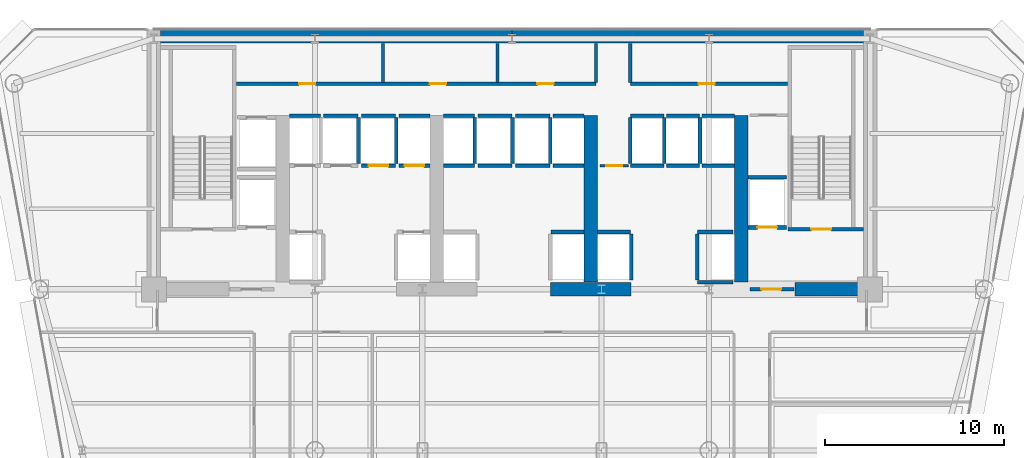
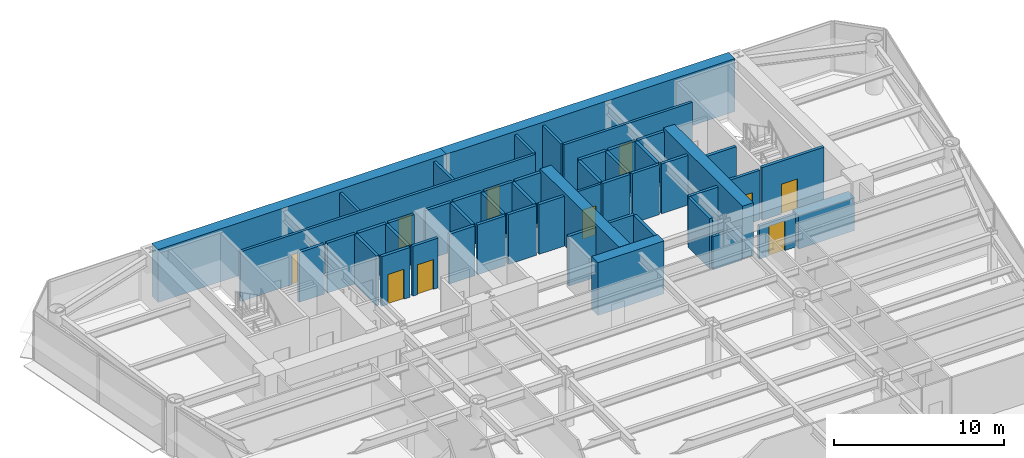
# One storey, part 9 of 14: 51 walls, 10 doors, 10 openings.
"""IFC4 building model written with IfcOpenShell, lengths in metres."""

import ifcopenshell
import ifcopenshell.guid

model = None  # the IFC model being written
_history = None  # IfcOwnerHistory: only IFC2X3 demands one
_inside = {}  # id of a spatial element -> (the spatial element, [elements in it])
_under = {}  # id of a project, library or spatial element -> (it, [spatial elements below it])
_declared = {}  # id of a project -> (the project, [libraries it declares])
_typed = {}  # id of a type object -> (the type object, [elements of that type])
_made_of = {}  # id of a material, layer set ... -> (it, [elements and type objects made of it])


def new_model(schema):
    """Start an empty IFC model of exactly this schema.

    Asked for "IFC4X3", IfcOpenShell would pick the latest addendum, in which some entities
    have other attributes; the version numbers below select the first issue.
    IFC2X3 requires an IfcOwnerHistory on every rooted entity: one is made here for all.
    """
    global model, _history
    if schema == "IFC4X3":
        model = ifcopenshell.file(schema_version=(4, 3, 0, 0))
    else:
        model = ifcopenshell.file(schema=schema)
    _inside.clear()
    _under.clear()
    _declared.clear()
    _typed.clear()
    _made_of.clear()
    _history = None
    if model.schema == "IFC2X3":
        org = make("IfcOrganization", Name="unknown")
        user = make(
            "IfcPersonAndOrganization",
            ThePerson=make("IfcPerson", FamilyName="unknown"),
            TheOrganization=org,
        )
        app = make(
            "IfcApplication",
            ApplicationDeveloper=org,
            Version="unknown",
            ApplicationFullName="unknown",
            ApplicationIdentifier="unknown",
        )
        _history = make(
            "IfcOwnerHistory",
            OwningUser=user,
            OwningApplication=app,
            ChangeAction="ADDED",
            CreationDate=0,
        )
    return model


def make(cls, **values):
    """One entity of the class cls with the attributes given. An attribute that is None is left unset."""
    return model.create_entity(
        cls, **{name: value for name, value in values.items() if value is not None}
    )


def rooted(cls, **values):
    """An entity with a GlobalId (a new one), such as an element, a storey or a relation."""
    return make(cls, GlobalId=ifcopenshell.guid.new(), OwnerHistory=_history, **values)


def si_unit(unit_type, name, prefix=None):
    """IfcSIUnit, for example si_unit("LENGTHUNIT", "METRE", prefix="MILLI")."""
    return make("IfcSIUnit", UnitType=unit_type, Prefix=prefix, Name=name)


def assignment(units):
    """IfcUnitAssignment: the units of a project."""
    return None if units is None else make("IfcUnitAssignment", Units=units)


def point(xyz):
    """IfcCartesianPoint."""
    return None if xyz is None else make("IfcCartesianPoint", Coordinates=xyz)


def direction(xyz):
    """IfcDirection."""
    return None if xyz is None else make("IfcDirection", DirectionRatios=xyz)


def frame(location, z_axis=None, x_axis=None):
    """IfcAxis2Placement3D, a coordinate frame: its origin and axes. An axis left out is left unset."""
    return make(
        "IfcAxis2Placement3D",
        Location=point(location),
        Axis=direction(z_axis),
        RefDirection=direction(x_axis),
    )


def frame_2d(location, x_axis=None):
    """IfcAxis2Placement2D, a coordinate frame in the plane: its origin and x axis."""
    return make(
        "IfcAxis2Placement2D", Location=point(location), RefDirection=direction(x_axis)
    )


def origin():
    """The frame at (0, 0, 0) with its axes left unset."""
    return frame((0.0, 0.0, 0.0))


def place(relative_to, where):
    """IfcLocalPlacement: puts the frame where relative to a parent placement (None: the world)."""
    return make(
        "IfcLocalPlacement", PlacementRelTo=relative_to, RelativePlacement=where
    )


def context(
    kind, dimensions, precision=None, world=None, true_north=None, identifier=None
):
    """IfcGeometricRepresentationContext, for example the 3D "Model" context."""
    return make(
        "IfcGeometricRepresentationContext",
        ContextIdentifier=identifier,
        ContextType=kind,
        CoordinateSpaceDimension=dimensions,
        Precision=precision,
        WorldCoordinateSystem=world,
        TrueNorth=true_north,
    )


def subcontext(parent, identifier, kind, view, scale=None):
    """IfcGeometricRepresentationSubContext, for example "Body" below "Model"."""
    return make(
        "IfcGeometricRepresentationSubContext",
        ContextIdentifier=identifier,
        ContextType=kind,
        ParentContext=parent,
        TargetScale=scale,
        TargetView=view,
    )


def project(units=None, contexts=None):
    """IfcProject with its units and contexts."""
    return rooted(
        "IfcProject",
        Name="project",
        RepresentationContexts=contexts,
        UnitsInContext=assignment(units),
    )


def spatial(cls, under=None, at=None, **own):
    """A site, building, storey or space (cls), placed at a placement, below another one or the project."""
    s = rooted(cls, ObjectPlacement=at, **own)
    if under is not None:
        _under.setdefault(under.id(), (under, []))[1].append(s)
    return s


def profile(cls, at=None, kind="AREA", **sizes):
    """A parametric profile (cls). Its sizes go by their IFC names, for example OverallWidth=200.0."""
    return make(cls, ProfileType=kind, Position=at, **sizes)


def rectangle(**sizes):
    """IfcRectangleProfileDef."""
    return profile("IfcRectangleProfileDef", **sizes)


def extrude(swept, where, along, depth):
    """IfcExtrudedAreaSolid: the profile swept, set in the frame where, extruded along a direction by depth."""
    return make(
        "IfcExtrudedAreaSolid",
        SweptArea=swept,
        Position=where,
        ExtrudedDirection=direction(along),
        Depth=depth,
    )


def shape(context_of_items, identifier, shape_type, items):
    """IfcShapeRepresentation: the items that make up one representation, for example the "Body"."""
    return make(
        "IfcShapeRepresentation",
        ContextOfItems=context_of_items,
        RepresentationIdentifier=identifier,
        RepresentationType=shape_type,
        Items=items,
    )


def source(mapping_origin, context_of_items, identifier, shape_type, items):
    """IfcRepresentationMap: a shape defined once, which mapped items show again and again."""
    return make(
        "IfcRepresentationMap",
        MappingOrigin=mapping_origin,
        MappedRepresentation=shape(context_of_items, identifier, shape_type, items),
    )


def transform(
    local_origin,
    x_axis=None,
    y_axis=None,
    z_axis=None,
    scale=None,
    scale2=None,
    scale3=None,
    uniform=True,
):
    """IfcCartesianTransformationOperator3D, or its non-uniform kind. x_axis, y_axis, z_axis: its Axis1, 2, 3."""
    if uniform:
        return make(
            "IfcCartesianTransformationOperator3D",
            Axis1=direction(x_axis),
            Axis2=direction(y_axis),
            LocalOrigin=point(local_origin),
            Scale=scale,
            Axis3=direction(z_axis),
        )
    return make(
        "IfcCartesianTransformationOperator3DnonUniform",
        Axis1=direction(x_axis),
        Axis2=direction(y_axis),
        LocalOrigin=point(local_origin),
        Scale=scale,
        Axis3=direction(z_axis),
        Scale2=scale2,
        Scale3=scale3,
    )


def mapped(mapping_source, mapping_target):
    """IfcMappedItem: shows the shape of a source again, moved by a transform."""
    return make(
        "IfcMappedItem", MappingSource=mapping_source, MappingTarget=mapping_target
    )


def material(Name=None, Category=None):
    """IfcMaterial."""
    return make("IfcMaterial", Name=Name, Category=Category)


def layer(
    of_material, thickness, ventilated=None, Name=None, Category=None, Priority=None
):
    """IfcMaterialLayer: one layer of a wall or slab, of a material (None: an air gap)."""
    return make(
        "IfcMaterialLayer",
        Material=of_material,
        LayerThickness=thickness,
        IsVentilated=ventilated,
        Name=Name,
        Category=Category,
        Priority=Priority,
    )


def layer_set(layers, Name=None):
    """IfcMaterialLayerSet."""
    return make("IfcMaterialLayerSet", MaterialLayers=layers, LayerSetName=Name)


def made_of(thing, what):
    """Note that an element or type object is made of a material, layer set ...; save() writes the relation."""
    if what is not None:
        _made_of.setdefault(what.id(), (what, []))[1].append(thing)
    return thing


def type_object(cls, material=None, **own):
    """A type object (cls), such as IfcWallType, which elements share."""
    return made_of(rooted(cls, **own), material)


def element(
    cls,
    number,
    at=None,
    inside=None,
    cuts=None,
    type_object=None,
    material=None,
    context=None,
    identifier="Body",
    shape_type=None,
    held_by="IfcProductDefinitionShape",
    body=None,
    shapes=None,
    **own,
):
    """One element of the class cls, such as IfcWall. Its Tag is "e" and its number.

    at: its placement. inside: the storey or other place that contains it. cuts: it is an
    opening in that element (IfcRelVoidsElement). A single representation is given by context,
    identifier, shape_type and body (its items); several are given by shapes. held_by: the class
    of the entity that holds the representations. save() writes the other relations.
    """
    e = rooted(cls, Tag="e%d" % number, ObjectPlacement=at, **own)
    if body is not None:
        shapes = [shape(context, identifier, shape_type, body)]
    if shapes is not None:
        e.Representation = make(held_by, Representations=shapes)
    if inside is not None:
        _inside.setdefault(inside.id(), (inside, []))[1].append(e)
    if cuts is not None:
        rooted(
            "IfcRelVoidsElement", RelatingBuildingElement=cuts, RelatedOpeningElement=e
        )
    if type_object is not None:
        _typed.setdefault(type_object.id(), (type_object, []))[1].append(e)
    return made_of(e, material)


def fill(opening, filler):
    """IfcRelFillsElement: the door or window that sits in an opening."""
    return rooted(
        "IfcRelFillsElement",
        RelatingOpeningElement=opening,
        RelatedBuildingElement=filler,
    )


def aggregate(whole, parts):
    """IfcRelAggregates: a whole, such as a stair, and the parts it consists of."""
    return rooted("IfcRelAggregates", RelatingObject=whole, RelatedObjects=parts)


def save(model, path):
    """Write the relations noted so far, then the file.

    IfcRelAggregates (storeys below a building ...), IfcRelContainedInSpatialStructure (elements
    in a storey), IfcRelDefinesByType, IfcRelAssociatesMaterial and IfcRelDeclares: one each for
    every whole, place, type object, material and project.
    """
    for whole, parts in _under.values():
        aggregate(whole, parts)
    for where, things in _inside.values():
        rooted(
            "IfcRelContainedInSpatialStructure",
            RelatedElements=things,
            RelatingStructure=where,
        )
    for kind, things in _typed.values():
        rooted("IfcRelDefinesByType", RelatedObjects=things, RelatingType=kind)
    for what, things in _made_of.values():
        rooted("IfcRelAssociatesMaterial", RelatedObjects=things, RelatingMaterial=what)
    for by, libraries in _declared.values():
        rooted("IfcRelDeclares", RelatingContext=by, RelatedDefinitions=libraries)
    model.write(path)


model = new_model("IFC4")

# Units and contexts
model_context = context("Model", 3, precision=1e-05, world=origin(), true_north=direction((0.0, 1.0)))
body_context = subcontext(model_context, "Body", "Model", "MODEL_VIEW")
ifc_project = project(units=[si_unit("LENGTHUNIT", "METRE"), si_unit("AREAUNIT", "SQUARE_METRE"), si_unit("VOLUMEUNIT", "CUBIC_METRE"), si_unit("PLANEANGLEUNIT", "RADIAN"), si_unit("MASSUNIT", "GRAM", prefix="KILO")], contexts=[model_context])

# Site, building, storey
site_placement = place(None, origin())
site = spatial("IfcSite", under=ifc_project, at=site_placement, CompositionType="ELEMENT")
building_placement = place(site_placement, origin())
building = spatial("IfcBuilding", under=site, at=building_placement, Name="Vaeldorn Concourse Tower", CompositionType="ELEMENT")
storey_placement = place(building_placement, frame((0.0, 0.0, 88.199951171875)))
storey = spatial("IfcBuildingStorey", under=building, at=storey_placement, Name="L22", CompositionType="ELEMENT", Elevation=88.199951171875)

# Walls
ifc_material_1 = material(Name="Concrete C60/75", Category="concrete")
ifc_layer_1 = layer(ifc_material_1, 0.75)
ifc_layer_set_1 = layer_set([ifc_layer_1], Name="Concrete C60/75")
wall_type_1 = type_object("IfcWallType", Name="WL-CORE-750", PredefinedType="SHEAR", material=ifc_layer_set_1)
for number, where, z_axis, x_axis, name in (
    (1, (14.37890625, 50.625, 0.0), (0.0, 0.0, 1.0), (1.0, 0.0, 0.0), "Rear Core Shear Wall L22 N1"),
    (2, (34.001953125, 50.625, 0.0), (0.0, 0.0, 1.0), (1.0, 0.0, 0.0), "Rear Core Shear Wall L22 N2"),
):
    element("IfcWall", number, at=place(storey_placement, frame(where, z_axis=z_axis, x_axis=x_axis)), inside=storey, type_object=wall_type_1, Name=name, PredefinedType="SHEAR", context=body_context, shape_type="SweptSolid", body=[
        extrude(rectangle(XDim=19.619140625, YDim=0.75, at=frame_2d((9.8095703125, 0.0))), origin(), (0.0, 0.0, 1.0), 3.800048828125),
    ])
wall_1_placement = place(storey_placement, frame((36.14990234375, 36.5, 0.0), z_axis=(0.0, 0.0, 1.0), x_axis=(1.0, 0.0, 0.0)))
element("IfcWall", 3, at=wall_1_placement, inside=storey, type_object=wall_type_1, Name="Rear Core Shear Wall L22 S3", PredefinedType="SHEAR", context=body_context, shape_type="SweptSolid", body=[
    extrude(rectangle(XDim=4.5, YDim=0.75, at=frame_2d((2.25, 0.0))), origin(), (0.0, 0.0, 1.0), 3.800048828125),
])
wall_2_placement = place(storey_placement, frame((49.800048828125, 36.5, 0.0), z_axis=(0.0, 0.0, 1.0), x_axis=(1.0, 0.0, 0.0)))
element("IfcWall", 4, at=wall_2_placement, inside=storey, type_object=wall_type_1, Name="Rear Core Shear Wall L22 S4", PredefinedType="SHEAR", context=body_context, shape_type="SweptSolid", body=[
    extrude(rectangle(XDim=3.804931640625, YDim=0.75, at=frame_2d((1.90234375, 0.0))), origin(), (0.0, 0.0, 1.0), 2.380126953125),
])
for number, where, z_axis, x_axis, name in (
    (5, (38.39990234375, 36.89501953125, 0.0), (0.0, 0.0, 1.0), (0.0, 1.0, 0.0), "Rear Core Shear Wall L22 M3"),
    (6, (46.800048828125, 36.89501953125, 0.0), (0.0, 0.0, 1.0), (0.0, 1.0, 0.0), "Rear Core Shear Wall L22 M4"),
):
    element("IfcWall", number, at=place(storey_placement, frame(where, z_axis=z_axis, x_axis=x_axis)), inside=storey, type_object=wall_type_1, Name=name, PredefinedType="SHEAR", context=body_context, shape_type="SweptSolid", body=[
        extrude(rectangle(XDim=9.304931640625, YDim=0.75, at=frame_2d((4.65234375, 0.0))), origin(), (0.0, 0.0, 1.0), 3.800048828125),
    ])

# Wall, opening, door
ifc_material_2 = material(Name="Gypsum Board Partition", Category="gypsum")
ifc_layer_2 = layer(ifc_material_2, 0.14990234375)
ifc_layer_set_2 = layer_set([ifc_layer_2], Name="Gypsum Board Partition")
wall_type_2 = type_object("IfcWallType", Name="WL-PART-150", PredefinedType="PARTITIONING", material=ifc_layer_set_2)
wall_3_placement = place(storey_placement, frame((38.919921875, 43.39990234375, 0.0), z_axis=(0.0, 0.0, 1.0), x_axis=(1.0, 0.0, 0.0)))
wall_3 = element("IfcWall", 7, at=wall_3_placement, inside=storey, type_object=wall_type_2, Name="Interior Wall CW-L22-CCLINK", PredefinedType="PARTITIONING", context=body_context, shape_type="SweptSolid", body=[
    extrude(rectangle(XDim=1.60009765625, YDim=0.14990234375, at=frame_2d((0.800048828125, 0.0))), origin(), (0.0, 0.0, 1.0), 3.580078125),
])
opening_1_placement = place(wall_3_placement, frame((0.35009765625, 0.0, 0.0)))
opening_1 = element("IfcOpeningElement", 8, at=opening_1_placement, cuts=wall_3, Name="Opening D-02", PredefinedType="OPENING", context=body_context, shape_type="SweptSolid", body=[
    extrude(rectangle(XDim=0.89990234375, YDim=2.10009765625, at=frame_2d((0.449951171875, 1.050048828125))), frame((0.0, 0.0849609375, 0.0), z_axis=(0.0, -1.0, 0.0), x_axis=(1.0, 0.0, 0.0)), (0.0, 0.0, 1.0), 0.169921875),
])
ifc_material_3 = material(Name="Fire-Rated Timber Leaf", Category="wood")
door_type_1 = type_object("IfcDoorType", Name="DR-FD30-900", OperationType="NOTDEFINED", PredefinedType="DOOR", material=ifc_material_3)
shared_shape_1 = source(origin(), body_context, "Body", "SweptSolid", [
    extrude(rectangle(XDim=0.89990234375, YDim=2.10009765625, at=frame_2d((0.449951171875, 1.050048828125))), frame((0.0, 0.02490234375, 0.0), z_axis=(0.0, -1.0, 0.0), x_axis=(1.0, 0.0, 0.0)), (0.0, 0.0, 1.0), 0.050048828125),
])
door_1_placement = place(opening_1_placement, origin())
door_1 = element("IfcDoor", 9, at=door_1_placement, inside=storey, type_object=door_type_1, Name="Interior Door DR-L22-CCLINK", OperationType="SINGLE_SWING_LEFT", OverallHeight=2.10009765625, OverallWidth=0.89990234375, PredefinedType="DOOR", context=body_context, shape_type="MappedRepresentation", body=[
    mapped(shared_shape_1, transform((0.0, 0.0, 0.0), scale=1.0)),
])
fill(opening_1, door_1)

# Wall, openings, doors
ifc_layer_3 = layer(ifc_material_2, 0.179931640625)
ifc_layer_set_3 = layer_set([ifc_layer_3], Name="Gypsum Board Partition")
wall_type_3 = type_object("IfcWallType", Name="WL-PLUMB-180", PredefinedType="PLUMBINGWALL", material=ifc_layer_set_3)
wall_4_placement = place(storey_placement, frame((18.6201171875, 47.97998046875, 0.0), z_axis=(0.0, 0.0, 1.0), x_axis=(1.0, 0.0, 0.0)))
wall_4 = element("IfcWall", 10, at=wall_4_placement, inside=storey, type_object=wall_type_3, Name="Interior Wall CW-L22-NS1W", PredefinedType="PLUMBINGWALL", context=body_context, shape_type="SweptSolid", body=[
    extrude(rectangle(XDim=20.059814453125, YDim=0.179931640625, at=frame_2d((10.02978515625, 0.0))), origin(), (0.0, 0.0, 1.0), 3.580078125),
])
opening_2_placement = place(wall_4_placement, frame((3.5, 0.0, 0.0)))
opening_2 = element("IfcOpeningElement", 11, at=opening_2_placement, cuts=wall_4, Name="Opening D-03", PredefinedType="OPENING", context=body_context, shape_type="SweptSolid", body=[
    extrude(rectangle(XDim=0.89990234375, YDim=2.14990234375, at=frame_2d((0.449951171875, 1.074951171875))), frame((0.0, 0.10009765625, 0.0), z_axis=(0.0, -1.0, 0.0), x_axis=(1.0, 0.0, 0.0)), (0.0, 0.0, 1.0), 0.199951171875),
])
opening_3_placement = place(wall_4_placement, frame((10.800048828125, 0.0, 0.0)))
opening_3 = element("IfcOpeningElement", 12, at=opening_3_placement, cuts=wall_4, Name="Opening D-03", PredefinedType="OPENING", context=body_context, shape_type="SweptSolid", body=[
    extrude(rectangle(XDim=0.89990234375, YDim=2.14990234375, at=frame_2d((0.449951171875, 1.074951171875))), frame((0.0, 0.10009765625, 0.0), z_axis=(0.0, -1.0, 0.0), x_axis=(1.0, 0.0, 0.0)), (0.0, 0.0, 1.0), 0.199951171875),
])
opening_4_placement = place(wall_4_placement, frame((16.800048828125, 0.0, 0.0)))
opening_4 = element("IfcOpeningElement", 13, at=opening_4_placement, cuts=wall_4, Name="Opening D-03", PredefinedType="OPENING", context=body_context, shape_type="SweptSolid", body=[
    extrude(rectangle(XDim=0.89990234375, YDim=2.14990234375, at=frame_2d((0.449951171875, 1.074951171875))), frame((0.0, 0.10009765625, 0.0), z_axis=(0.0, -1.0, 0.0), x_axis=(1.0, 0.0, 0.0)), (0.0, 0.0, 1.0), 0.199951171875),
])
ifc_material_4 = material(Name="Acoustic Bronze-Framed Glass Door", Category="glass")
door_type_2 = type_object("IfcDoorType", Name="DR-INT-900", OperationType="NOTDEFINED", PredefinedType="DOOR", material=ifc_material_4)
shared_shape_2 = source(origin(), body_context, "Body", "SweptSolid", [
    extrude(rectangle(XDim=0.89990234375, YDim=2.14990234375, at=frame_2d((0.449951171875, 1.074951171875))), frame((0.0, 0.02490234375, 0.0), z_axis=(0.0, -1.0, 0.0), x_axis=(1.0, 0.0, 0.0)), (0.0, 0.0, 1.0), 0.050048828125),
])
door_2_placement = place(opening_2_placement, origin())
door_2 = element("IfcDoor", 14, at=door_2_placement, inside=storey, type_object=door_type_2, Name="Interior Door DR-L22-CS1", OperationType="SINGLE_SWING_LEFT", OverallHeight=2.14990234375, OverallWidth=0.89990234375, PredefinedType="DOOR", context=body_context, shape_type="MappedRepresentation", body=[
    mapped(shared_shape_2, transform((0.0, 0.0, 0.0), scale=1.0)),
])
fill(opening_2, door_2)
door_3_placement = place(opening_3_placement, origin())
door_3 = element("IfcDoor", 15, at=door_3_placement, inside=storey, type_object=door_type_2, Name="Interior Door DR-L22-CS2", OperationType="SINGLE_SWING_RIGHT", OverallHeight=2.14990234375, OverallWidth=0.89990234375, PredefinedType="DOOR", context=body_context, shape_type="MappedRepresentation", body=[
    mapped(shared_shape_2, transform((0.0, 0.0, 0.0), scale=1.0)),
])
fill(opening_3, door_3)
door_4_placement = place(opening_4_placement, origin())
door_4 = element("IfcDoor", 16, at=door_4_placement, inside=storey, type_object=door_type_2, Name="Interior Door DR-L22-CS3", OperationType="SINGLE_SWING_LEFT", OverallHeight=2.14990234375, OverallWidth=0.89990234375, PredefinedType="DOOR", context=body_context, shape_type="MappedRepresentation", body=[
    mapped(shared_shape_2, transform((0.0, 0.0, 0.0), scale=1.0)),
])
fill(opening_4, door_4)

# Wall, opening, door
wall_5_placement = place(storey_placement, frame((40.6201171875, 47.97998046875, 0.0), z_axis=(0.0, 0.0, 1.0), x_axis=(1.0, 0.0, 0.0)))
wall_5 = element("IfcWall", 17, at=wall_5_placement, inside=storey, type_object=wall_type_3, Name="Interior Wall CW-L22-NS1E", PredefinedType="PLUMBINGWALL", context=body_context, shape_type="SweptSolid", body=[
    extrude(rectangle(XDim=8.759765625, YDim=0.179931640625, at=frame_2d((4.3798828125, 0.0))), origin(), (0.0, 0.0, 1.0), 3.580078125),
])
opening_5_placement = place(wall_5_placement, frame((3.800048828125, 0.0, 0.0)))
opening_5 = element("IfcOpeningElement", 18, at=opening_5_placement, cuts=wall_5, Name="Opening D-03", PredefinedType="OPENING", context=body_context, shape_type="SweptSolid", body=[
    extrude(rectangle(XDim=0.89990234375, YDim=2.14990234375, at=frame_2d((0.449951171875, 1.074951171875))), frame((0.0, 0.10009765625, 0.0), z_axis=(0.0, -1.0, 0.0), x_axis=(1.0, 0.0, 0.0)), (0.0, 0.0, 1.0), 0.199951171875),
])
door_5_placement = place(opening_5_placement, origin())
door_5 = element("IfcDoor", 19, at=door_5_placement, inside=storey, type_object=door_type_2, Name="Interior Door DR-L22-CS4", OperationType="SINGLE_SWING_RIGHT", OverallHeight=2.14990234375, OverallWidth=0.89990234375, PredefinedType="DOOR", context=body_context, shape_type="MappedRepresentation", body=[
    mapped(shared_shape_2, transform((0.0, 0.0, 0.0), scale=1.0)),
])
fill(opening_5, door_5)

# Walls
for number, where, z_axis, x_axis, name in (
    (20, (26.800048828125, 48.06005859375, 0.0), (0.0, 0.0, 1.0), (0.0, 1.0, 0.0), "Interior Wall CW-L22-NDIV1"),
    (21, (33.199951171875, 48.06005859375, 0.0), (0.0, 0.0, 1.0), (0.0, 1.0, 0.0), "Interior Wall CW-L22-NDIV2"),
    (22, (38.699951171875, 48.06005859375, 0.0), (0.0, 0.0, 1.0), (0.0, 1.0, 0.0), "Interior Wall CW-L22-NDIV3"),
    (23, (40.60009765625, 48.06005859375, 0.0), (0.0, 0.0, 1.0), (0.0, 1.0, 0.0), "Interior Wall CW-L22-NDIV4"),
):
    element("IfcWall", number, at=place(storey_placement, frame(where, z_axis=z_axis, x_axis=x_axis)), inside=storey, type_object=wall_type_3, Name=name, PredefinedType="PLUMBINGWALL", context=body_context, shape_type="SweptSolid", body=[
        extrude(rectangle(XDim=2.169921875, YDim=0.179931640625, at=frame_2d((1.0849609375, 0.0))), origin(), (0.0, 0.0, 1.0), 3.580078125),
    ])

# Wall, opening, door
ifc_material_5 = material(Name="Concrete C50/60", Category="concrete")
ifc_layer_4 = layer(ifc_material_5, 0.199951171875)
ifc_layer_set_4 = layer_set([ifc_layer_4], Name="Concrete C50/60")
wall_type_4 = type_object("IfcWallType", Name="WL-SHAFT-200", PredefinedType="SOLIDWALL", material=ifc_layer_set_4)
wall_6_placement = place(storey_placement, frame((49.39990234375, 39.85009765625, 0.0), z_axis=(0.0, 0.0, 1.0), x_axis=(1.0, 0.0, 0.0)))
wall_6 = element("IfcWall", 24, at=wall_6_placement, inside=storey, type_object=wall_type_4, Name="Stair Shaft Wall CW-L22-ST-2-S", PredefinedType="SOLIDWALL", context=body_context, shape_type="SweptSolid", body=[
    extrude(rectangle(XDim=4.22509765625, YDim=0.199951171875, at=frame_2d((2.112548828125, 0.0))), origin(), (0.0, 0.0, 1.0), 3.800048828125),
])
opening_6_placement = place(wall_6_placement, frame((1.324951171875, 0.0, 0.0)))
opening_6 = element("IfcOpeningElement", 25, at=opening_6_placement, cuts=wall_6, Name="Opening D-01", PredefinedType="OPENING", context=body_context, shape_type="SweptSolid", body=[
    extrude(rectangle(XDim=1.10009765625, YDim=2.14990234375, at=frame_2d((0.550048828125, 1.074951171875))), frame((0.0, 0.10986328125, 0.0), z_axis=(0.0, -1.0, 0.0), x_axis=(1.0, 0.0, 0.0)), (0.0, 0.0, 1.0), 0.219970703125),
])
ifc_material_6 = material(Name="Fire-Rated Timber and Steel Leaf", Category="steel")
door_type_3 = type_object("IfcDoorType", Name="DR-FD60-1100", OperationType="NOTDEFINED", PredefinedType="DOOR", material=ifc_material_6)
shared_shape_3 = source(origin(), body_context, "Body", "SweptSolid", [
    extrude(rectangle(XDim=1.10009765625, YDim=2.14990234375, at=frame_2d((0.550048828125, 1.074951171875))), frame((0.0, 0.02490234375, 0.0), z_axis=(0.0, -1.0, 0.0), x_axis=(1.0, 0.0, 0.0)), (0.0, 0.0, 1.0), 0.050048828125),
])
door_6_placement = place(opening_6_placement, origin())
door_6 = element("IfcDoor", 26, at=door_6_placement, inside=storey, type_object=door_type_3, Name="Interior Door DR-L22-ST-2", OperationType="SINGLE_SWING_RIGHT", OverallHeight=2.14990234375, OverallWidth=1.10009765625, PredefinedType="DOOR", context=body_context, shape_type="MappedRepresentation", body=[
    mapped(shared_shape_3, transform((0.0, 0.0, 0.0), scale=1.0)),
])
fill(opening_6, door_6)

wall_7_placement = place(storey_placement, frame((47.280029296875, 36.5, 0.0), z_axis=(0.0, 0.0, 1.0), x_axis=(1.0, 0.0, 0.0)))
wall_7 = element("IfcWall", 27, at=wall_7_placement, inside=storey, type_object=wall_type_4, Name="Interior Wall CW-L22-FF2S", PredefinedType="SOLIDWALL", context=body_context, shape_type="SweptSolid", body=[
    extrude(rectangle(XDim=2.469970703125, YDim=0.199951171875, at=frame_2d((1.23486328125, 0.0))), origin(), (0.0, 0.0, 1.0), 2.3701171875),
])
opening_7_placement = place(wall_7_placement, frame((0.64990234375, 0.0, 0.0)))
opening_7 = element("IfcOpeningElement", 28, at=opening_7_placement, cuts=wall_7, Name="Opening D-01", PredefinedType="OPENING", context=body_context, shape_type="SweptSolid", body=[
    extrude(rectangle(XDim=1.10009765625, YDim=2.14990234375, at=frame_2d((0.550048828125, 1.074951171875))), frame((0.0, 0.10986328125, 0.0), z_axis=(0.0, -1.0, 0.0), x_axis=(1.0, 0.0, 0.0)), (0.0, 0.0, 1.0), 0.219970703125),
])
door_7_placement = place(opening_7_placement, origin())
door_7 = element("IfcDoor", 29, at=door_7_placement, inside=storey, type_object=door_type_3, Name="Interior Door DR-L22-FF2W", OperationType="SINGLE_SWING_LEFT", OverallHeight=2.14990234375, OverallWidth=1.10009765625, PredefinedType="DOOR", context=body_context, shape_type="MappedRepresentation", body=[
    mapped(shared_shape_3, transform((0.0, 0.0, 0.0), scale=1.0)),
])
fill(opening_7, door_7)

# Walls
wall_8_placement = place(storey_placement, frame((21.5849609375, 46.199951171875, 0.0), z_axis=(0.0, 0.0, 1.0), x_axis=(1.0, 0.0, 0.0)))
element("IfcWall", 30, at=wall_8_placement, inside=storey, type_object=wall_type_4, Name="Interior Wall CW-L22-LFB-LF-03", PredefinedType="SOLIDWALL", context=body_context, shape_type="SweptSolid", body=[
    extrude(rectangle(XDim=1.72509765625, YDim=0.199951171875, at=frame_2d((0.862548828125, 0.0))), origin(), (0.0, 0.0, 1.0), 3.580078125),
])
wall_9_placement = place(storey_placement, frame((23.489990234375, 46.199951171875, 0.0), z_axis=(0.0, 0.0, 1.0), x_axis=(1.0, 0.0, 0.0)))
element("IfcWall", 31, at=wall_9_placement, inside=storey, type_object=wall_type_4, Name="Interior Wall CW-L22-LFB-LF-04", PredefinedType="SOLIDWALL", context=body_context, shape_type="SweptSolid", body=[
    extrude(rectangle(XDim=1.919921875, YDim=0.199951171875, at=frame_2d((0.9599609375, 0.0))), origin(), (0.0, 0.0, 1.0), 3.580078125),
])
wall_10_placement = place(storey_placement, frame((25.429931640625, 43.52001953125, 0.0), z_axis=(0.0, 0.0, 1.0), x_axis=(0.0, 1.0, 0.0)))
element("IfcWall", 32, at=wall_10_placement, inside=storey, type_object=wall_type_4, Name="Interior Wall CW-L22-LFE-LF-04", PredefinedType="SOLIDWALL", context=body_context, shape_type="SweptSolid", body=[
    extrude(rectangle(XDim=2.56005859375, YDim=0.199951171875, at=frame_2d((1.280029296875, 0.0))), origin(), (0.0, 0.0, 1.0), 3.580078125),
])

# Wall, opening, door
wall_11_placement = place(storey_placement, frame((25.590087890625, 43.39990234375, 0.0), z_axis=(0.0, 0.0, 1.0), x_axis=(1.0, 0.0, 0.0)))
wall_11 = element("IfcWall", 33, at=wall_11_placement, inside=storey, type_object=wall_type_4, Name="Interior Wall CW-L22-LF-LF-05", PredefinedType="SOLIDWALL", context=body_context, shape_type="SweptSolid", body=[
    extrude(rectangle(XDim=1.919921875, YDim=0.199951171875, at=frame_2d((0.9599609375, 0.0))), origin(), (0.0, 0.0, 1.0), 3.580078125),
])
opening_8_placement = place(wall_11_placement, frame((0.409912109375, 0.0, 0.0)))
opening_8 = element("IfcOpeningElement", 34, at=opening_8_placement, cuts=wall_11, Name="Opening LD-1", PredefinedType="OPENING", context=body_context, shape_type="SweptSolid", body=[
    extrude(rectangle(XDim=1.10009765625, YDim=2.14990234375, at=frame_2d((0.550048828125, 1.074951171875))), frame((0.0, 0.10986328125, 0.0), z_axis=(0.0, -1.0, 0.0), x_axis=(1.0, 0.0, 0.0)), (0.0, 0.0, 1.0), 0.219970703125),
])
ifc_material_7 = material(Name="Anodised Bronze Aluminium", Category="aluminium")
door_type_4 = type_object("IfcDoorType", Name="DR-LIFT-SLIDE-1100", OperationType="DOUBLE_DOOR_SLIDING", PredefinedType="DOOR", material=ifc_material_7)
door_8_placement = place(opening_8_placement, origin())
door_8 = element("IfcDoor", 35, at=door_8_placement, inside=storey, type_object=door_type_4, Name="Lift Landing Door LD-L22-LF-05", OperationType="DOUBLE_DOOR_SLIDING", OverallHeight=2.14990234375, OverallWidth=1.10009765625, PredefinedType="DOOR", context=body_context, shape_type="MappedRepresentation", body=[
    mapped(shared_shape_3, transform((0.0, 0.0, 0.0), scale=1.0)),
])
fill(opening_8, door_8)

# Walls
wall_12_placement = place(storey_placement, frame((25.590087890625, 46.199951171875, 0.0), z_axis=(0.0, 0.0, 1.0), x_axis=(1.0, 0.0, 0.0)))
element("IfcWall", 36, at=wall_12_placement, inside=storey, type_object=wall_type_4, Name="Interior Wall CW-L22-LFB-LF-05", PredefinedType="SOLIDWALL", context=body_context, shape_type="SweptSolid", body=[
    extrude(rectangle(XDim=1.919921875, YDim=0.199951171875, at=frame_2d((0.9599609375, 0.0))), origin(), (0.0, 0.0, 1.0), 3.580078125),
])
wall_13_placement = place(storey_placement, frame((27.530029296875, 43.52001953125, 0.0), z_axis=(0.0, 0.0, 1.0), x_axis=(0.0, 1.0, 0.0)))
element("IfcWall", 37, at=wall_13_placement, inside=storey, type_object=wall_type_4, Name="Interior Wall CW-L22-LFE-LF-05", PredefinedType="SOLIDWALL", context=body_context, shape_type="SweptSolid", body=[
    extrude(rectangle(XDim=2.56005859375, YDim=0.199951171875, at=frame_2d((1.280029296875, 0.0))), origin(), (0.0, 0.0, 1.0), 3.580078125),
])

# Wall, opening, door
wall_14_placement = place(storey_placement, frame((27.68994140625, 43.39990234375, 0.0), z_axis=(0.0, 0.0, 1.0), x_axis=(1.0, 0.0, 0.0)))
wall_14 = element("IfcWall", 38, at=wall_14_placement, inside=storey, type_object=wall_type_4, Name="Interior Wall CW-L22-LF-LF-06", PredefinedType="SOLIDWALL", context=body_context, shape_type="SweptSolid", body=[
    extrude(rectangle(XDim=1.72509765625, YDim=0.199951171875, at=frame_2d((0.862548828125, 0.0))), origin(), (0.0, 0.0, 1.0), 3.580078125),
])
opening_9_placement = place(wall_14_placement, frame((0.31201171875, 0.0, 0.0)))
opening_9 = element("IfcOpeningElement", 39, at=opening_9_placement, cuts=wall_14, Name="Opening LD-1", PredefinedType="OPENING", context=body_context, shape_type="SweptSolid", body=[
    extrude(rectangle(XDim=1.10009765625, YDim=2.14990234375, at=frame_2d((0.550048828125, 1.074951171875))), frame((0.0, 0.10986328125, 0.0), z_axis=(0.0, -1.0, 0.0), x_axis=(1.0, 0.0, 0.0)), (0.0, 0.0, 1.0), 0.219970703125),
])
door_9_placement = place(opening_9_placement, origin())
door_9 = element("IfcDoor", 40, at=door_9_placement, inside=storey, type_object=door_type_4, Name="Lift Landing Door LD-L22-LF-06", OperationType="DOUBLE_DOOR_SLIDING", OverallHeight=2.14990234375, OverallWidth=1.10009765625, PredefinedType="DOOR", context=body_context, shape_type="MappedRepresentation", body=[
    mapped(shared_shape_3, transform((0.0, 0.0, 0.0), scale=1.0)),
])
fill(opening_9, door_9)

# Walls
wall_15_placement = place(storey_placement, frame((27.68994140625, 46.199951171875, 0.0), z_axis=(0.0, 0.0, 1.0), x_axis=(1.0, 0.0, 0.0)))
element("IfcWall", 41, at=wall_15_placement, inside=storey, type_object=wall_type_4, Name="Interior Wall CW-L22-LFB-LF-06", PredefinedType="SOLIDWALL", context=body_context, shape_type="SweptSolid", body=[
    extrude(rectangle(XDim=1.72509765625, YDim=0.199951171875, at=frame_2d((0.862548828125, 0.0))), origin(), (0.0, 0.0, 1.0), 3.580078125),
])
wall_16_placement = place(storey_placement, frame((36.169921875, 39.699951171875, 0.0), z_axis=(0.0, 0.0, 1.0), x_axis=(1.0, 0.0, 0.0)))
element("IfcWall", 42, at=wall_16_placement, inside=storey, type_object=wall_type_4, Name="Interior Wall CW-L22-LF-LF-08", PredefinedType="SOLIDWALL", context=body_context, shape_type="SweptSolid", body=[
    extrude(rectangle(XDim=1.844970703125, YDim=0.199951171875, at=frame_2d((0.92236328125, 0.0))), origin(), (0.0, 0.0, 1.0), 3.580078125),
])
for number, where, z_axis, x_axis, name in (
    (43, (30.18505859375, 43.39990234375, 0.0), (0.0, 0.0, 1.0), (1.0, 0.0, 0.0), "Interior Wall CW-L22-LF-LF-09"),
    (44, (30.18505859375, 46.199951171875, 0.0), (0.0, 0.0, 1.0), (1.0, 0.0, 0.0), "Interior Wall CW-L22-LFB-LF-09"),
):
    element("IfcWall", number, at=place(storey_placement, frame(where, z_axis=z_axis, x_axis=x_axis)), inside=storey, type_object=wall_type_4, Name=name, PredefinedType="SOLIDWALL", context=body_context, shape_type="SweptSolid", body=[
        extrude(rectangle(XDim=1.724853515625, YDim=0.199951171875, at=frame_2d((0.8623046875, 0.0))), origin(), (0.0, 0.0, 1.0), 3.580078125),
    ])
wall_17_placement = place(storey_placement, frame((31.929931640625, 43.52001953125, 0.0), z_axis=(0.0, 0.0, 1.0), x_axis=(0.0, 1.0, 0.0)))
element("IfcWall", 45, at=wall_17_placement, inside=storey, type_object=wall_type_4, Name="Interior Wall CW-L22-LFE-LF-09", PredefinedType="SOLIDWALL", context=body_context, shape_type="SweptSolid", body=[
    extrude(rectangle(XDim=2.56005859375, YDim=0.199951171875, at=frame_2d((1.280029296875, 0.0))), origin(), (0.0, 0.0, 1.0), 3.580078125),
])
for number, where, z_axis, x_axis, name in (
    (46, (32.090087890625, 43.39990234375, 0.0), (0.0, 0.0, 1.0), (1.0, 0.0, 0.0), "Interior Wall CW-L22-LF-LF-10"),
    (47, (32.090087890625, 46.199951171875, 0.0), (0.0, 0.0, 1.0), (1.0, 0.0, 0.0), "Interior Wall CW-L22-LFB-LF-10"),
):
    element("IfcWall", number, at=place(storey_placement, frame(where, z_axis=z_axis, x_axis=x_axis)), inside=storey, type_object=wall_type_4, Name=name, PredefinedType="SOLIDWALL", context=body_context, shape_type="SweptSolid", body=[
        extrude(rectangle(XDim=1.919921875, YDim=0.199951171875, at=frame_2d((0.9599609375, 0.0))), origin(), (0.0, 0.0, 1.0), 3.580078125),
    ])
wall_18_placement = place(storey_placement, frame((34.030029296875, 43.52001953125, 0.0), z_axis=(0.0, 0.0, 1.0), x_axis=(0.0, 1.0, 0.0)))
element("IfcWall", 48, at=wall_18_placement, inside=storey, type_object=wall_type_4, Name="Interior Wall CW-L22-LFE-LF-10", PredefinedType="SOLIDWALL", context=body_context, shape_type="SweptSolid", body=[
    extrude(rectangle(XDim=2.56005859375, YDim=0.199951171875, at=frame_2d((1.280029296875, 0.0))), origin(), (0.0, 0.0, 1.0), 3.580078125),
])
for number, where, z_axis, x_axis, name in (
    (49, (34.18994140625, 43.39990234375, 0.0), (0.0, 0.0, 1.0), (1.0, 0.0, 0.0), "Interior Wall CW-L22-LF-LF-11"),
    (50, (34.18994140625, 46.199951171875, 0.0), (0.0, 0.0, 1.0), (1.0, 0.0, 0.0), "Interior Wall CW-L22-LFB-LF-11"),
):
    element("IfcWall", number, at=place(storey_placement, frame(where, z_axis=z_axis, x_axis=x_axis)), inside=storey, type_object=wall_type_4, Name=name, PredefinedType="SOLIDWALL", context=body_context, shape_type="SweptSolid", body=[
        extrude(rectangle(XDim=1.920166015625, YDim=0.199951171875, at=frame_2d((0.9599609375, 0.0))), origin(), (0.0, 0.0, 1.0), 3.580078125),
    ])
wall_19_placement = place(storey_placement, frame((36.1298828125, 43.52001953125, 0.0), z_axis=(0.0, 0.0, 1.0), x_axis=(0.0, 1.0, 0.0)))
element("IfcWall", 51, at=wall_19_placement, inside=storey, type_object=wall_type_4, Name="Interior Wall CW-L22-LFE-LF-11", PredefinedType="SOLIDWALL", context=body_context, shape_type="SweptSolid", body=[
    extrude(rectangle(XDim=2.56005859375, YDim=0.199951171875, at=frame_2d((1.280029296875, 0.0))), origin(), (0.0, 0.0, 1.0), 3.580078125),
])
for number, where, z_axis, x_axis, name in (
    (52, (36.2900390625, 43.39990234375, 0.0), (0.0, 0.0, 1.0), (1.0, 0.0, 0.0), "Interior Wall CW-L22-LF-LF-12"),
    (53, (36.2900390625, 46.199951171875, 0.0), (0.0, 0.0, 1.0), (1.0, 0.0, 0.0), "Interior Wall CW-L22-LFB-LF-12"),
):
    element("IfcWall", number, at=place(storey_placement, frame(where, z_axis=z_axis, x_axis=x_axis)), inside=storey, type_object=wall_type_4, Name=name, PredefinedType="SOLIDWALL", context=body_context, shape_type="SweptSolid", body=[
        extrude(rectangle(XDim=1.724853515625, YDim=0.199951171875, at=frame_2d((0.8623046875, 0.0))), origin(), (0.0, 0.0, 1.0), 3.580078125),
    ])
wall_20_placement = place(storey_placement, frame((38.784912109375, 39.699951171875, 0.0), z_axis=(0.0, 0.0, 1.0), x_axis=(1.0, 0.0, 0.0)))
element("IfcWall", 54, at=wall_20_placement, inside=storey, type_object=wall_type_4, Name="Interior Wall CW-L22-LF-LF-13", PredefinedType="SOLIDWALL", context=body_context, shape_type="SweptSolid", body=[
    extrude(rectangle(XDim=1.844970703125, YDim=0.199951171875, at=frame_2d((0.92236328125, 0.0))), origin(), (0.0, 0.0, 1.0), 3.580078125),
])
wall_21_placement = place(storey_placement, frame((40.64990234375, 37.02001953125, 0.0), z_axis=(0.0, 0.0, 1.0), x_axis=(0.0, 1.0, 0.0)))
element("IfcWall", 55, at=wall_21_placement, inside=storey, type_object=wall_type_4, Name="Interior Wall CW-L22-LFE-LF-13", PredefinedType="SOLIDWALL", context=body_context, shape_type="SweptSolid", body=[
    extrude(rectangle(XDim=2.56005859375, YDim=0.199951171875, at=frame_2d((1.280029296875, 0.0))), origin(), (0.0, 0.0, 1.0), 3.580078125),
])
wall_22_placement = place(storey_placement, frame((44.3701171875, 39.699951171875, 0.0), z_axis=(0.0, 0.0, 1.0), x_axis=(1.0, 0.0, 0.0)))
element("IfcWall", 56, at=wall_22_placement, inside=storey, type_object=wall_type_4, Name="Interior Wall CW-L22-LF-LF-14", PredefinedType="SOLIDWALL", context=body_context, shape_type="SweptSolid", body=[
    extrude(rectangle(XDim=1.9599609375, YDim=0.199951171875, at=frame_2d((0.97998046875, 0.0))), origin(), (0.0, 0.0, 1.0), 3.580078125),
])
wall_23_placement = place(storey_placement, frame((44.3701171875, 36.89990234375, 0.0), z_axis=(0.0, 0.0, 1.0), x_axis=(1.0, 0.0, 0.0)))
element("IfcWall", 57, at=wall_23_placement, inside=storey, type_object=wall_type_4, Name="Interior Wall CW-L22-LFB-LF-14", PredefinedType="SOLIDWALL", context=body_context, shape_type="SweptSolid", body=[
    extrude(rectangle(XDim=1.9599609375, YDim=0.199951171875, at=frame_2d((0.97998046875, 0.0))), origin(), (0.0, 0.0, 1.0), 2.3701171875),
])
wall_24_placement = place(storey_placement, frame((44.35009765625, 37.02001953125, 0.0), z_axis=(0.0, 0.0, 1.0), x_axis=(0.0, 1.0, 0.0)))
element("IfcWall", 58, at=wall_24_placement, inside=storey, type_object=wall_type_4, Name="Interior Wall CW-L22-LFW-LF-14", PredefinedType="SOLIDWALL", context=body_context, shape_type="SweptSolid", body=[
    extrude(rectangle(XDim=2.56005859375, YDim=0.199951171875, at=frame_2d((1.280029296875, 0.0))), origin(), (0.0, 0.0, 1.0), 3.580078125),
])
for number, where, z_axis, x_axis, name in (
    (59, (40.6201171875, 43.39990234375, 0.0), (0.0, 0.0, 1.0), (1.0, 0.0, 0.0), "Interior Wall CW-L22-LF-LF-15"),
    (60, (40.6201171875, 46.199951171875, 0.0), (0.0, 0.0, 1.0), (1.0, 0.0, 0.0), "Interior Wall CW-L22-LFB-LF-15"),
):
    element("IfcWall", number, at=place(storey_placement, frame(where, z_axis=z_axis, x_axis=x_axis)), inside=storey, type_object=wall_type_4, Name=name, PredefinedType="SOLIDWALL", context=body_context, shape_type="SweptSolid", body=[
        extrude(rectangle(XDim=1.85986328125, YDim=0.199951171875, at=frame_2d((0.929931640625, 0.0))), origin(), (0.0, 0.0, 1.0), 3.580078125),
    ])
for number, where, z_axis, x_axis, name in (
    (61, (40.60009765625, 43.52001953125, 0.0), (0.0, 0.0, 1.0), (0.0, 1.0, 0.0), "Interior Wall CW-L22-LFW-LF-15"),
    (62, (42.5, 43.52001953125, 0.0), (0.0, 0.0, 1.0), (0.0, 1.0, 0.0), "Interior Wall CW-L22-LFE-LF-15"),
):
    element("IfcWall", number, at=place(storey_placement, frame(where, z_axis=z_axis, x_axis=x_axis)), inside=storey, type_object=wall_type_4, Name=name, PredefinedType="SOLIDWALL", context=body_context, shape_type="SweptSolid", body=[
        extrude(rectangle(XDim=2.56005859375, YDim=0.199951171875, at=frame_2d((1.280029296875, 0.0))), origin(), (0.0, 0.0, 1.0), 3.580078125),
    ])
for number, where, z_axis, x_axis, name in (
    (63, (42.6201171875, 43.39990234375, 0.0), (0.0, 0.0, 1.0), (1.0, 0.0, 0.0), "Interior Wall CW-L22-LF-LF-16"),
    (64, (42.6201171875, 46.199951171875, 0.0), (0.0, 0.0, 1.0), (1.0, 0.0, 0.0), "Interior Wall CW-L22-LFB-LF-16"),
):
    element("IfcWall", number, at=place(storey_placement, frame(where, z_axis=z_axis, x_axis=x_axis)), inside=storey, type_object=wall_type_4, Name=name, PredefinedType="SOLIDWALL", context=body_context, shape_type="SweptSolid", body=[
        extrude(rectangle(XDim=1.85986328125, YDim=0.199951171875, at=frame_2d((0.929931640625, 0.0))), origin(), (0.0, 0.0, 1.0), 3.580078125),
    ])
wall_25_placement = place(storey_placement, frame((44.5, 43.52001953125, 0.0), z_axis=(0.0, 0.0, 1.0), x_axis=(0.0, 1.0, 0.0)))
element("IfcWall", 65, at=wall_25_placement, inside=storey, type_object=wall_type_4, Name="Interior Wall CW-L22-LFE-LF-16", PredefinedType="SOLIDWALL", context=body_context, shape_type="SweptSolid", body=[
    extrude(rectangle(XDim=2.56005859375, YDim=0.199951171875, at=frame_2d((1.280029296875, 0.0))), origin(), (0.0, 0.0, 1.0), 3.580078125),
])
for number, where, z_axis, x_axis, name in (
    (66, (44.6201171875, 43.39990234375, 0.0), (0.0, 0.0, 1.0), (1.0, 0.0, 0.0), "Interior Wall CW-L22-LF-LF-17"),
    (67, (44.6201171875, 46.199951171875, 0.0), (0.0, 0.0, 1.0), (1.0, 0.0, 0.0), "Interior Wall CW-L22-LFB-LF-17"),
):
    element("IfcWall", number, at=place(storey_placement, frame(where, z_axis=z_axis, x_axis=x_axis)), inside=storey, type_object=wall_type_4, Name=name, PredefinedType="SOLIDWALL", context=body_context, shape_type="SweptSolid", body=[
        extrude(rectangle(XDim=1.794921875, YDim=0.199951171875, at=frame_2d((0.8974609375, 0.0))), origin(), (0.0, 0.0, 1.0), 3.580078125),
    ])

# Wall, opening, door
wall_26_placement = place(storey_placement, frame((47.18505859375, 39.949951171875, 0.0), z_axis=(0.0, 0.0, 1.0), x_axis=(1.0, 0.0, 0.0)))
wall_26 = element("IfcWall", 68, at=wall_26_placement, inside=storey, type_object=wall_type_4, Name="Interior Wall CW-L22-LF-LF-FF2", PredefinedType="SOLIDWALL", context=body_context, shape_type="SweptSolid", body=[
    extrude(rectangle(XDim=2.14501953125, YDim=0.199951171875, at=frame_2d((1.072509765625, 0.0))), origin(), (0.0, 0.0, 1.0), 3.580078125),
])
opening_10_placement = place(wall_26_placement, frame((0.52197265625, 0.0, 0.0)))
opening_10 = element("IfcOpeningElement", 69, at=opening_10_placement, cuts=wall_26, Name="Opening LD-1", PredefinedType="OPENING", context=body_context, shape_type="SweptSolid", body=[
    extrude(rectangle(XDim=1.10009765625, YDim=2.14990234375, at=frame_2d((0.550048828125, 1.074951171875))), frame((0.0, 0.10986328125, 0.0), z_axis=(0.0, -1.0, 0.0), x_axis=(1.0, 0.0, 0.0)), (0.0, 0.0, 1.0), 0.219970703125),
])
door_10_placement = place(opening_10_placement, origin())
door_10 = element("IfcDoor", 70, at=door_10_placement, inside=storey, type_object=door_type_4, Name="Lift Landing Door LD-L22-LF-FF2", OperationType="DOUBLE_DOOR_SLIDING", OverallHeight=2.14990234375, OverallWidth=1.10009765625, PredefinedType="DOOR", context=body_context, shape_type="MappedRepresentation", body=[
    mapped(shared_shape_3, transform((0.0, 0.0, 0.0), scale=1.0)),
])
fill(opening_10, door_10)

# Wall
wall_27_placement = place(storey_placement, frame((47.18505859375, 42.75, 0.0), z_axis=(0.0, 0.0, 1.0), x_axis=(1.0, 0.0, 0.0)))
element("IfcWall", 71, at=wall_27_placement, inside=storey, type_object=wall_type_4, Name="Interior Wall CW-L22-LFB-LF-FF2", PredefinedType="SOLIDWALL", context=body_context, shape_type="SweptSolid", body=[
    extrude(rectangle(XDim=2.14501953125, YDim=0.199951171875, at=frame_2d((1.072509765625, 0.0))), origin(), (0.0, 0.0, 1.0), 3.580078125),
])

save(model, "model.ifc")
